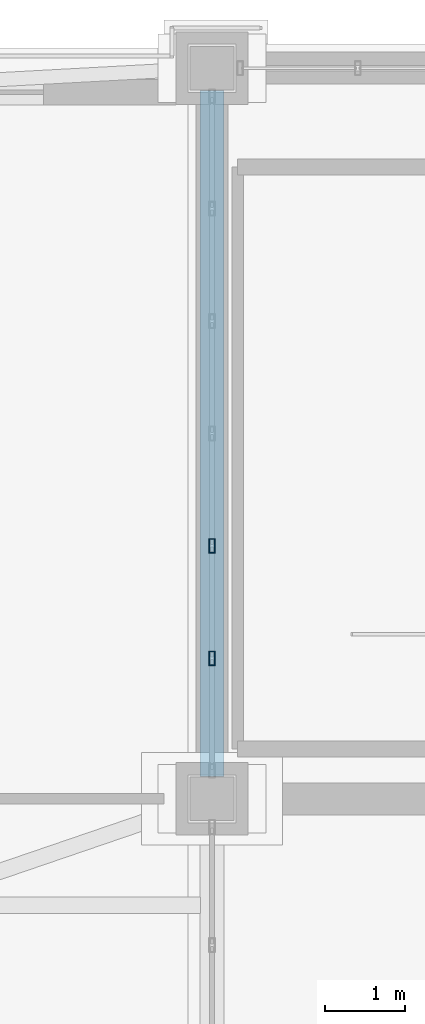
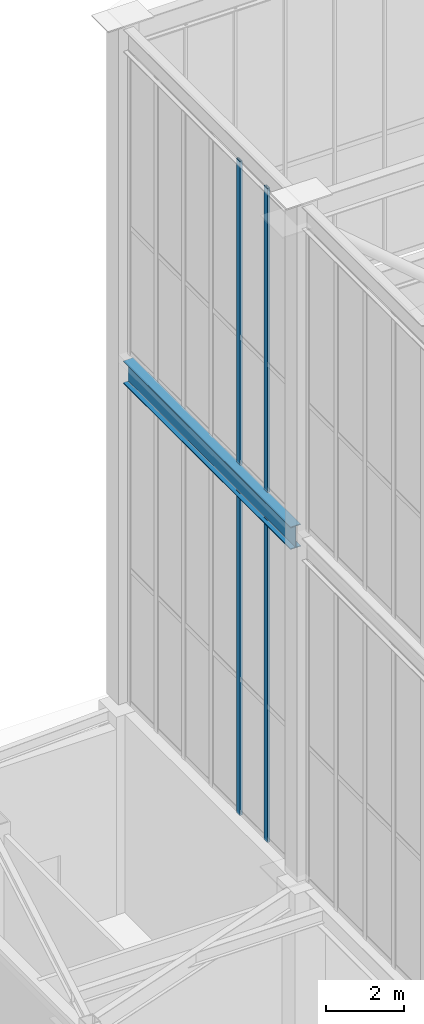
# One storey, part 19 of 135: 4 members, 1 beam, 2 elements without a shape of their own.
"""IFC4 building model written with IfcOpenShell, lengths in metres."""

from ifc_helpers import new_model, si_unit, direction, frame, origin, origin_2d, place, context, subcontext, project, spatial, hollow_rectangle, i_section, extrude, source, transform, mapped, material, layer, layer_set, material_profile, profile_set, type_object, element, aggregate, save


model = new_model("IFC4")

# Units and contexts
model_context = context("Model", 3, precision=1e-05, world=origin(), true_north=direction((0.0, 1.0)))
body_context = subcontext(model_context, "Body", "Model", "MODEL_VIEW")
ifc_project = project(units=[si_unit("LENGTHUNIT", "METRE"), si_unit("AREAUNIT", "SQUARE_METRE"), si_unit("VOLUMEUNIT", "CUBIC_METRE"), si_unit("PLANEANGLEUNIT", "RADIAN"), si_unit("MASSUNIT", "GRAM", prefix="KILO")], contexts=[model_context])

# Site, building, storey
site_placement = place(None, origin())
site = spatial("IfcSite", under=ifc_project, at=site_placement, CompositionType="ELEMENT")
building_placement = place(site_placement, origin())
building = spatial("IfcBuilding", under=site, at=building_placement, Name="Giltprow Tower", CompositionType="ELEMENT")
storey_placement = place(building_placement, frame((0.0, 0.0, 352.699951171875)))
storey = spatial("IfcBuildingStorey", under=building, at=storey_placement, Name="L92", CompositionType="ELEMENT", Elevation=352.699951171875)

# Beam
ifc_material_1 = material(Name="Structural steel Q355B", Category="steel")
ifc_material_profile_1 = material_profile(ifc_material_1, i_section(OverallWidth=0.300048828125, OverallDepth=0.699951171875, WebThickness=0.012939453125, FlangeThickness=0.02392578125, at=origin_2d()), Name="HN 700x300x13x24")
ifc_profile_set_1 = profile_set([ifc_material_profile_1], Name="Structural steel Q355B")
beam_type = type_object("IfcBeamType", Name="BM-CRN-RING-HN700", PredefinedType="BEAM", material=ifc_profile_set_1)
shared_shape_1 = source(origin(), body_context, "Body", "SweptSolid", [
    extrude(i_section(OverallWidth=0.300048828125, OverallDepth=0.699951171875, WebThickness=0.012939453125, FlangeThickness=0.02392578125, at=origin_2d()), origin(), (0.0, 0.0, 1.0), 8.5400390625),
])
beam_placement = place(storey_placement, frame((19.85009765625, 46.27001953125, 16.699951171875), z_axis=(0.0, -1.0, 0.0), x_axis=(1.0, 0.0, 0.0)))
element("IfcBeam", 1, at=beam_placement, inside=storey, type_object=beam_type, Name="Crown Frame West Ring Beam 1-5", PredefinedType="BEAM", context=body_context, shape_type="MappedRepresentation", body=[
    mapped(shared_shape_1, transform((0.0, 0.0, 0.0), x_axis=(1.0, 0.0, 0.0), y_axis=(0.0, 1.0, 0.0), z_axis=(0.0, 0.0, 1.0), scale=1.0)),
])

# Curtain wall, members
ifc_material_2 = material(Name="Anodized bronze", Category="metal")
ifc_layer = layer(ifc_material_2, 0.179931640625, Name="Anodized bronze")
ifc_layer_set = layer_set([ifc_layer], Name="Anodized bronze")
curtain_wall_type = type_object("IfcCurtainWallType", Name="CW-CROWN-LANTERN", PredefinedType="NOTDEFINED", material=ifc_layer_set)
curtain_wall_1_placement = place(storey_placement, origin())
curtain_wall_1 = element("IfcCurtainWall", 2, at=curtain_wall_1_placement, inside=storey, type_object=curtain_wall_type, Name="Crown West Lower Lantern Glazing 5", PredefinedType="NOTDEFINED")
ifc_material_profile_2 = material_profile(ifc_material_2, hollow_rectangle(XDim=0.074951171875, YDim=0.179931640625, WallThickness=0.008056640625, at=origin_2d()), Name="RHS 180x75x8")
ifc_profile_set_2 = profile_set([ifc_material_profile_2], Name="Anodized bronze")
member_type = type_object("IfcMemberType", Name="CW-MULLION-180x75", PredefinedType="MULLION", material=ifc_profile_set_2)
shared_shape_2 = source(origin(), body_context, "Body", "SweptSolid", [
    extrude(hollow_rectangle(XDim=0.074951171875, YDim=0.179931640625, WallThickness=0.008056640625, at=origin_2d()), origin(), (0.0, 0.0, 1.0), 10.030029296875),
])
member_1_placement = place(storey_placement, frame((19.85009765625, 40.60009765625, 6.35009765625), z_axis=(0.0, 0.0, 1.0), x_axis=(1.0, 0.0, 0.0)))
member_1 = element("IfcMember", 3, at=member_1_placement, type_object=member_type, Name="Crown West Lower Lantern Glazing 5 Mullion 5", PredefinedType="MULLION", context=body_context, shape_type="MappedRepresentation", body=[
    mapped(shared_shape_2, transform((0.0, 0.0, 0.0), x_axis=(1.0, 0.0, 0.0), y_axis=(0.0, 1.0, 0.0), z_axis=(0.0, 0.0, 1.0), scale=1.0)),
])
member_2_placement = place(storey_placement, frame((19.85009765625, 39.199951171875, 6.35009765625), z_axis=(0.0, 0.0, 1.0), x_axis=(1.0, 0.0, 0.0)))
member_2 = element("IfcMember", 4, at=member_2_placement, type_object=member_type, Name="Crown West Lower Lantern Glazing 5 Mullion 6", PredefinedType="MULLION", context=body_context, shape_type="MappedRepresentation", body=[
    mapped(shared_shape_2, transform((0.0, 0.0, 0.0), x_axis=(1.0, 0.0, 0.0), y_axis=(0.0, 1.0, 0.0), z_axis=(0.0, 0.0, 1.0), scale=1.0)),
])
aggregate(curtain_wall_1, [member_1, member_2])

curtain_wall_2_placement = place(storey_placement, origin())
curtain_wall_2 = element("IfcCurtainWall", 5, at=curtain_wall_2_placement, inside=storey, type_object=curtain_wall_type, Name="Crown West Upper Lantern Glazing 5", PredefinedType="NOTDEFINED")
shared_shape_3 = source(origin(), body_context, "Body", "SweptSolid", [
    extrude(hollow_rectangle(XDim=0.074951171875, YDim=0.179931640625, WallThickness=0.008056640625, at=origin_2d()), origin(), (0.0, 0.0, 1.0), 9.45703125),
])
member_3_placement = place(storey_placement, frame((19.85009765625, 40.60009765625, 17.25), z_axis=(0.0, 0.0, 1.0), x_axis=(1.0, 0.0, 0.0)))
member_3 = element("IfcMember", 6, at=member_3_placement, type_object=member_type, Name="Crown West Upper Lantern Glazing 5 Mullion 5", PredefinedType="MULLION", context=body_context, shape_type="MappedRepresentation", body=[
    mapped(shared_shape_3, transform((0.0, 0.0, 0.0), x_axis=(1.0, 0.0, 0.0), y_axis=(0.0, 1.0, 0.0), z_axis=(0.0, 0.0, 1.0), scale=1.0)),
])
member_4_placement = place(storey_placement, frame((19.85009765625, 39.199951171875, 17.25), z_axis=(0.0, 0.0, 1.0), x_axis=(1.0, 0.0, 0.0)))
member_4 = element("IfcMember", 7, at=member_4_placement, type_object=member_type, Name="Crown West Upper Lantern Glazing 5 Mullion 6", PredefinedType="MULLION", context=body_context, shape_type="MappedRepresentation", body=[
    mapped(shared_shape_3, transform((0.0, 0.0, 0.0), x_axis=(1.0, 0.0, 0.0), y_axis=(0.0, 1.0, 0.0), z_axis=(0.0, 0.0, 1.0), scale=1.0)),
])
aggregate(curtain_wall_2, [member_3, member_4])

save(model, "model.ifc")
